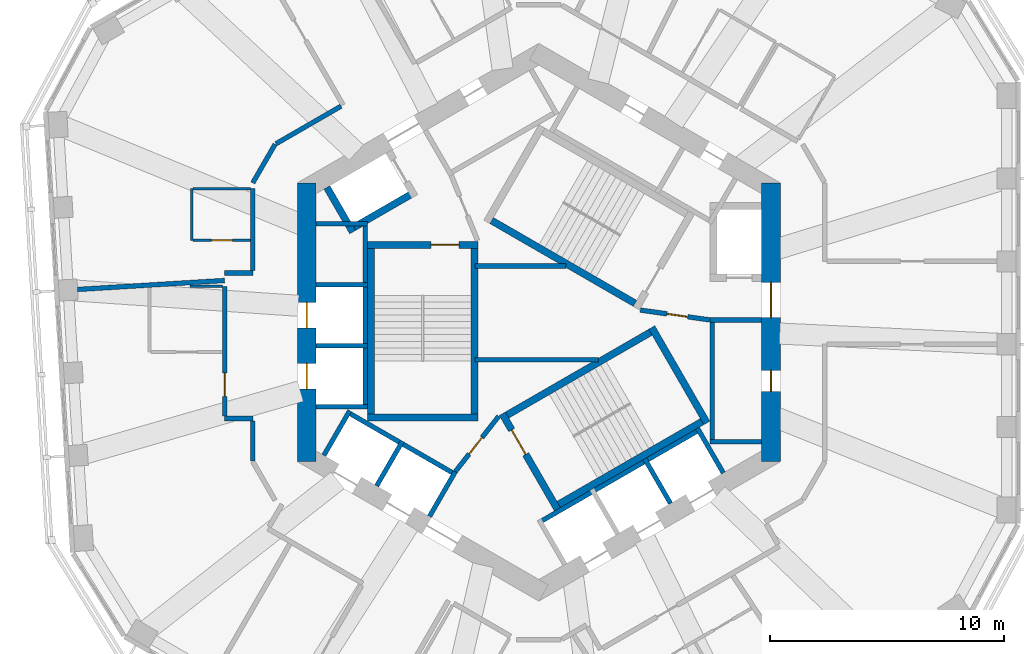
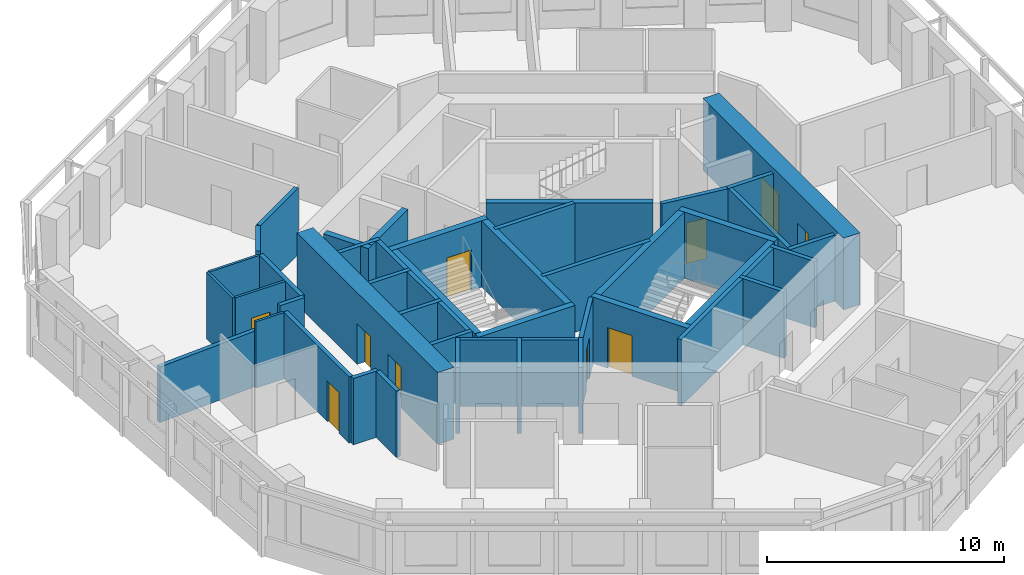
# One storey, part 5 of 11: 44 walls, 10 doors, 10 openings.
"""IFC4 building model written with IfcOpenShell, lengths in metres."""

from ifc_helpers import new_model, si_unit, direction, frame, frame_2d, origin, place, context, subcontext, project, spatial, rectangle, extrude, material, layer, layer_set, type_object, element, fill, save


model = new_model("IFC4")

# Units and contexts
model_context = context("Model", 3, precision=1e-05, world=origin(), true_north=direction((0.0, 1.0)))
body_context = subcontext(model_context, "Body", "Model", "MODEL_VIEW")
ifc_project = project(units=[si_unit("LENGTHUNIT", "METRE"), si_unit("AREAUNIT", "SQUARE_METRE"), si_unit("VOLUMEUNIT", "CUBIC_METRE"), si_unit("PLANEANGLEUNIT", "RADIAN"), si_unit("MASSUNIT", "GRAM", prefix="KILO")], contexts=[model_context])

# Site, building, storey
site_placement = place(None, origin())
site = spatial("IfcSite", under=ifc_project, at=site_placement, CompositionType="ELEMENT")
building_placement = place(site_placement, origin())
building = spatial("IfcBuilding", under=site, at=building_placement, Name="Vanh Sen Convention Tower", CompositionType="ELEMENT")
storey_placement = place(building_placement, frame((0.0, 0.0, 232.800048828125)))
storey = spatial("IfcBuildingStorey", under=building, at=storey_placement, Name="L57", CompositionType="ELEMENT", Elevation=232.800048828125)

# Walls
ifc_material_1 = material(Name="Moisture-resistant gypsum board on steel studs", Category="steel")
ifc_layer_1 = layer(ifc_material_1, 0.1201171875)
ifc_layer_set_1 = layer_set([ifc_layer_1], Name="Moisture-resistant gypsum board on steel studs")
wall_type_1 = type_object("IfcWallType", Name="Bathroom partition 120", PredefinedType="PARTITIONING", material=ifc_layer_set_1)
wall_1_placement = place(storey_placement, frame((-14.869384765625, 1.533203125, 0.0), z_axis=(0.0, 0.0, 1.0), x_axis=(1.0, 0.0, 0.0)))
element("IfcWall", 1, at=wall_1_placement, inside=storey, type_object=wall_type_1, Name="Bathroom partition 120", PredefinedType="PARTITIONING", context=body_context, shape_type="SweptSolid", body=[
    extrude(rectangle(XDim=1.368408203125, YDim=0.1201171875, at=frame_2d((0.68408203125, 0.0))), origin(), (0.0, 0.0, 1.0), 3.419921875),
])
wall_2_placement = place(storey_placement, frame((-14.800048828125, 3.49658203125, 0.0), z_axis=(0.0, 0.0, 1.0), x_axis=(0.0, 1.0, 0.0)))
element("IfcWall", 2, at=wall_2_placement, inside=storey, type_object=wall_type_1, Name="Bathroom partition 120", PredefinedType="PARTITIONING", context=body_context, shape_type="SweptSolid", body=[
    extrude(rectangle(XDim=2.2001953125, YDim=0.1201171875, at=frame_2d((1.10009765625, 0.0))), origin(), (0.0, 0.0, 1.0), 3.419921875),
])
wall_3_placement = place(storey_placement, frame((-14.739990234375, 5.69677734375, 0.0), z_axis=(0.0, 0.0, 1.0), x_axis=(1.0, 0.0, 0.0)))
element("IfcWall", 3, at=wall_3_placement, inside=storey, type_object=wall_type_1, Name="Bathroom partition 120", PredefinedType="PARTITIONING", context=body_context, shape_type="SweptSolid", body=[
    extrude(rectangle(XDim=2.43994140625, YDim=0.1201171875, at=frame_2d((1.219970703125, 0.0))), origin(), (0.0, 0.0, 1.0), 3.419921875),
])

# Wall, opening, door
wall_4_placement = place(storey_placement, frame((-12.300048828125, 3.49658203125, 0.0), z_axis=(0.0, 0.0, 1.0), x_axis=(-1.0, 0.0, 0.0)))
wall_4 = element("IfcWall", 4, at=wall_4_placement, inside=storey, type_object=wall_type_1, Name="Bathroom partition 120", PredefinedType="PARTITIONING", context=body_context, shape_type="SweptSolid", body=[
    extrude(rectangle(XDim=2.43994140625, YDim=0.1201171875, at=frame_2d((1.219970703125, 0.0))), origin(), (0.0, 0.0, 1.0), 3.419921875),
])
opening_1_placement = place(wall_4_placement, frame((0.77001953125, 0.0, 0.0)))
opening_1 = element("IfcOpeningElement", 5, at=opening_1_placement, cuts=wall_4, Name="Opening D56108", PredefinedType="OPENING", context=body_context, shape_type="SweptSolid", body=[
    extrude(rectangle(XDim=0.89990234375, YDim=2.10009765625, at=frame_2d((0.449951171875, 1.050048828125))), frame((0.0, 0.070068359375, 0.0), z_axis=(0.0, -1.0, 0.0), x_axis=(1.0, 0.0, 0.0)), (0.0, 0.0, 1.0), 0.14013671875),
])
ifc_material_2 = material(Name="Laminate door in steel frame", Category="steel")
door_type_1 = type_object("IfcDoorType", Name="Room internal door 900", OperationType="SINGLE_SWING_LEFT", PredefinedType="DOOR", material=ifc_material_2)
door_1_placement = place(opening_1_placement, origin())
door_1 = element("IfcDoor", 6, at=door_1_placement, inside=storey, type_object=door_type_1, Name="Internal room door D56108", OperationType="SINGLE_SWING_LEFT", OverallHeight=2.10009765625, OverallWidth=0.89990234375, PredefinedType="DOOR", context=body_context, shape_type="SweptSolid", body=[
    extrude(rectangle(XDim=0.89990234375, YDim=2.10009765625, at=frame_2d((0.449951171875, 1.050048828125))), frame((0.0, 0.02490234375, 0.0), z_axis=(0.0, -1.0, 0.0), x_axis=(1.0, 0.0, 0.0)), (0.0, 0.0, 1.0), 0.050048828125),
])
fill(opening_1, door_1)

# Wall, openings, doors
ifc_material_3 = material(Name="Concrete C60/75", Category="concrete")
ifc_layer_2 = layer(ifc_material_3, 0.800048828125)
ifc_layer_set_2 = layer_set([ifc_layer_2], Name="Concrete C60/75")
wall_type_2 = type_object("IfcWallType", Name="Core outer wall 800 C60/75", PredefinedType="SHEAR", material=ifc_layer_set_2)
wall_5_placement = place(storey_placement, frame((9.89990234375, -5.94677734375, 0.0), z_axis=(0.0, 0.0, 1.0), x_axis=(0.0, 1.0, 0.0)))
wall_5 = element("IfcWall", 7, at=wall_5_placement, inside=storey, type_object=wall_type_2, Name="Core wall face E L57", PredefinedType="SHEAR", context=body_context, shape_type="SweptSolid", body=[
    extrude(rectangle(XDim=11.8935546875, YDim=0.800048828125, at=frame_2d((5.94677734375, 0.0))), origin(), (0.0, 0.0, 1.0), 3.699951171875),
])
opening_2_placement = place(wall_5_placement, frame((6.146728515625, 0.0, 0.0)))
opening_2 = element("IfcOpeningElement", 8, at=opening_2_placement, cuts=wall_5, Name="Opening D56001", PredefinedType="OPENING", context=body_context, shape_type="SweptSolid", body=[
    extrude(rectangle(XDim=1.5, YDim=2.10009765625, at=frame_2d((0.75, 1.050048828125))), frame((0.0, 0.409912109375, 0.0), z_axis=(0.0, -1.0, 0.0), x_axis=(1.0, 0.0, 0.0)), (0.0, 0.0, 1.0), 0.820068359375),
])
opening_3_placement = place(wall_5_placement, frame((2.99658203125, 0.0, 0.0)))
opening_3 = element("IfcOpeningElement", 9, at=opening_3_placement, cuts=wall_5, Name="Opening D56010", PredefinedType="OPENING", context=body_context, shape_type="SweptSolid", body=[
    extrude(rectangle(XDim=0.89990234375, YDim=2.10009765625, at=frame_2d((0.449951171875, 1.050048828125))), frame((0.0, 0.409912109375, 0.0), z_axis=(0.0, -1.0, 0.0), x_axis=(1.0, 0.0, 0.0)), (0.0, 0.0, 1.0), 0.820068359375),
])
ifc_material_4 = material(Name="Steel S355", Category="steel")
door_type_2 = type_object("IfcDoorType", Name="Plant door 900", OperationType="SINGLE_SWING_LEFT", PredefinedType="DOOR", material=ifc_material_4)
door_2_placement = place(opening_3_placement, origin())
door_2 = element("IfcDoor", 10, at=door_2_placement, inside=storey, type_object=door_type_2, Name="Plant door D56010", OperationType="SINGLE_SWING_LEFT", OverallHeight=2.10009765625, OverallWidth=0.89990234375, PredefinedType="DOOR", context=body_context, shape_type="SweptSolid", body=[
    extrude(rectangle(XDim=0.89990234375, YDim=2.10009765625, at=frame_2d((0.449951171875, 1.050048828125))), frame((0.0, 0.02490234375, 0.0), z_axis=(0.0, -1.0, 0.0), x_axis=(1.0, 0.0, 0.0)), (0.0, 0.0, 1.0), 0.050048828125),
])
fill(opening_3, door_2)
door_type_3 = type_object("IfcDoorType", Name="Stair lobby door 1500", OperationType="DOUBLE_DOOR_SINGLE_SWING", PredefinedType="DOOR", material=ifc_material_4)
door_3_placement = place(opening_2_placement, origin())
door_3 = element("IfcDoor", 11, at=door_3_placement, inside=storey, type_object=door_type_3, Name="Stair lobby door D56001", OperationType="DOUBLE_DOOR_SINGLE_SWING", OverallHeight=2.10009765625, OverallWidth=1.5, PredefinedType="DOOR", context=body_context, shape_type="SweptSolid", body=[
    extrude(rectangle(XDim=1.5, YDim=2.10009765625, at=frame_2d((0.75, 1.050048828125))), frame((0.0, 0.02490234375, 0.0), z_axis=(0.0, -1.0, 0.0), x_axis=(1.0, 0.0, 0.0)), (0.0, 0.0, 1.0), 0.050048828125),
])
fill(opening_2, door_3)

wall_6_placement = place(storey_placement, frame((-9.89990234375, 5.94677734375, 0.0), z_axis=(0.0, 0.0, 1.0), x_axis=(0.0, -1.0, 0.0)))
wall_6 = element("IfcWall", 12, at=wall_6_placement, inside=storey, type_object=wall_type_2, Name="Core wall face W L57", PredefinedType="SHEAR", context=body_context, shape_type="SweptSolid", body=[
    extrude(rectangle(XDim=11.8935546875, YDim=0.800048828125, at=frame_2d((5.94677734375, 0.0))), origin(), (0.0, 0.0, 1.0), 3.699951171875),
])
opening_4_placement = place(wall_6_placement, frame((5.0966796875, 0.0, 0.0)))
opening_4 = element("IfcOpeningElement", 13, at=opening_4_placement, cuts=wall_6, Name="Opening LD-HR1", PredefinedType="OPENING", context=body_context, shape_type="SweptSolid", body=[
    extrude(rectangle(XDim=1.10009765625, YDim=2.10009765625, at=frame_2d((0.550048828125, 1.050048828125))), frame((0.0, 0.409912109375, 0.0), z_axis=(0.0, -1.0, 0.0), x_axis=(1.0, 0.0, 0.0)), (0.0, 0.0, 1.0), 0.820068359375),
])
opening_5_placement = place(wall_6_placement, frame((7.69677734375, 0.0, 0.0)))
opening_5 = element("IfcOpeningElement", 14, at=opening_5_placement, cuts=wall_6, Name="Opening LD-HR2", PredefinedType="OPENING", context=body_context, shape_type="SweptSolid", body=[
    extrude(rectangle(XDim=1.10009765625, YDim=2.10009765625, at=frame_2d((0.550048828125, 1.050048828125))), frame((0.0, 0.409912109375, 0.0), z_axis=(0.0, -1.0, 0.0), x_axis=(1.0, 0.0, 0.0)), (0.0, 0.0, 1.0), 0.820068359375),
])
ifc_material_5 = material(Name="Stainless steel", Category="steel")
door_type_4 = type_object("IfcDoorType", Name="Lift landing door 1100", OperationType="DOUBLE_DOOR_SLIDING", PredefinedType="DOOR", material=ifc_material_5)
door_4_placement = place(opening_4_placement, origin())
door_4 = element("IfcDoor", 15, at=door_4_placement, inside=storey, type_object=door_type_4, Name="Lift HR1 landing door LD-HR1", OperationType="DOUBLE_DOOR_SLIDING", OverallHeight=2.10009765625, OverallWidth=1.10009765625, PredefinedType="DOOR", context=body_context, shape_type="SweptSolid", body=[
    extrude(rectangle(XDim=1.10009765625, YDim=2.10009765625, at=frame_2d((0.550048828125, 1.050048828125))), frame((0.0, 0.02490234375, 0.0), z_axis=(0.0, -1.0, 0.0), x_axis=(1.0, 0.0, 0.0)), (0.0, 0.0, 1.0), 0.050048828125),
])
fill(opening_4, door_4)
door_5_placement = place(opening_5_placement, origin())
door_5 = element("IfcDoor", 16, at=door_5_placement, inside=storey, type_object=door_type_4, Name="Lift HR2 landing door LD-HR2", OperationType="DOUBLE_DOOR_SLIDING", OverallHeight=2.10009765625, OverallWidth=1.10009765625, PredefinedType="DOOR", context=body_context, shape_type="SweptSolid", body=[
    extrude(rectangle(XDim=1.10009765625, YDim=2.10009765625, at=frame_2d((0.550048828125, 1.050048828125))), frame((0.0, 0.02490234375, 0.0), z_axis=(0.0, -1.0, 0.0), x_axis=(1.0, 0.0, 0.0)), (0.0, 0.0, 1.0), 0.050048828125),
])
fill(opening_5, door_5)

# Walls
ifc_material_6 = material(Name="Masonry blockwork", Category="masonry")
ifc_layer_3 = layer(ifc_material_6, 0.199951171875)
ifc_layer_set_3 = layer_set([ifc_layer_3], Name="Masonry blockwork")
wall_type_3 = type_object("IfcWallType", Name="Core partition 200", PredefinedType="PARTITIONING", material=ifc_layer_set_3)
wall_7_placement = place(storey_placement, frame((-2.719970703125, -1.60009765625, 0.0), z_axis=(0.0, 0.0, 1.0), x_axis=(1.0, 0.0, 0.0)))
element("IfcWall", 17, at=wall_7_placement, inside=storey, type_object=wall_type_3, Name="Core partition L57", PredefinedType="PARTITIONING", context=body_context, shape_type="SweptSolid", body=[
    extrude(rectangle(XDim=5.2685546875, YDim=0.199951171875, at=frame_2d((2.63427734375, 0.0))), origin(), (0.0, 0.0, 1.0), 3.419921875),
])
wall_8_placement = place(storey_placement, frame((-2.719970703125, 2.39990234375, 0.0), z_axis=(0.0, 0.0, 1.0), x_axis=(1.0, 0.0, 0.0)))
element("IfcWall", 18, at=wall_8_placement, inside=storey, type_object=wall_type_3, Name="Core partition L57", PredefinedType="PARTITIONING", context=body_context, shape_type="SweptSolid", body=[
    extrude(rectangle(XDim=3.883056640625, YDim=0.199951171875, at=frame_2d((1.94140625, 0.0))), origin(), (0.0, 0.0, 1.0), 3.419921875),
])
ifc_material_7 = material(Name="Gypsum board on steel studs with mineral wool", Category="steel")
ifc_layer_4 = layer(ifc_material_7, 0.199951171875)
ifc_layer_set_4 = layer_set([ifc_layer_4], Name="Gypsum board on steel studs with mineral wool")
wall_type_4 = type_object("IfcWallType", Name="Corridor partition wall 200", PredefinedType="PARTITIONING", material=ifc_layer_set_4)
wall_9_placement = place(storey_placement, frame((-13.40087890625, -4.10107421875, 0.0), z_axis=(0.0, 0.0, 1.0), x_axis=(1.0, 0.0, 0.0)))
element("IfcWall", 19, at=wall_9_placement, inside=storey, type_object=wall_type_4, Name="Corridor partition wall 200", PredefinedType="PARTITIONING", context=body_context, shape_type="SweptSolid", body=[
    extrude(rectangle(XDim=1.200927734375, YDim=0.199951171875, at=frame_2d((0.6005859375, 0.0))), origin(), (0.0, 0.0, 1.0), 3.419921875),
])

# Wall, opening, door
wall_10_placement = place(storey_placement, frame((-13.40087890625, 1.533203125, 0.0), z_axis=(0.0, 0.0, 1.0), x_axis=(0.0, -1.0, 0.0)))
wall_10 = element("IfcWall", 20, at=wall_10_placement, inside=storey, type_object=wall_type_4, Name="Corridor partition wall 200", PredefinedType="PARTITIONING", context=body_context, shape_type="SweptSolid", body=[
    extrude(rectangle(XDim=5.5341796875, YDim=0.199951171875, at=frame_2d((2.76708984375, 0.0))), origin(), (0.0, 0.0, 1.0), 3.419921875),
])
opening_6_placement = place(wall_10_placement, frame((3.692138671875, 0.0, 0.0)))
opening_6 = element("IfcOpeningElement", 21, at=opening_6_placement, cuts=wall_10, Name="Opening D56109", PredefinedType="OPENING", context=body_context, shape_type="SweptSolid", body=[
    extrude(rectangle(XDim=1.0, YDim=2.10009765625, at=frame_2d((0.5, 1.050048828125))), frame((0.0, 0.10986328125, 0.0), z_axis=(0.0, -1.0, 0.0), x_axis=(1.0, 0.0, 0.0)), (0.0, 0.0, 1.0), 0.219970703125),
])
ifc_material_8 = material(Name="Glazed fire door in steel frame", Category="steel")
door_type_5 = type_object("IfcDoorType", Name="Tenant entrance door 1000", OperationType="SINGLE_SWING_LEFT", PredefinedType="DOOR", material=ifc_material_8)
door_6_placement = place(opening_6_placement, origin())
door_6 = element("IfcDoor", 22, at=door_6_placement, inside=storey, type_object=door_type_5, Name="Tenant suite entrance door D56109", OperationType="SINGLE_SWING_LEFT", OverallHeight=2.10009765625, OverallWidth=1.0, PredefinedType="DOOR", context=body_context, shape_type="SweptSolid", body=[
    extrude(rectangle(XDim=1.0, YDim=2.10009765625, at=frame_2d((0.5, 1.050048828125))), frame((0.0, 0.02490234375, 0.0), z_axis=(0.0, -1.0, 0.0), x_axis=(1.0, 0.0, 0.0)), (0.0, 0.0, 1.0), 0.050048828125),
])
fill(opening_6, door_6)

# Walls
wall_11_placement = place(storey_placement, frame((-12.199951171875, -4.200927734375, 0.0), z_axis=(0.0, 0.0, 1.0), x_axis=(0.0, -1.0, 0.0)))
element("IfcWall", 23, at=wall_11_placement, inside=storey, type_object=wall_type_4, Name="Corridor partition wall 200", PredefinedType="PARTITIONING", context=body_context, shape_type="SweptSolid", body=[
    extrude(rectangle(XDim=1.705810546875, YDim=0.199951171875, at=frame_2d((0.85302734375, 0.0))), origin(), (0.0, 0.0, 1.0), 3.419921875),
])
wall_12_placement = place(storey_placement, frame((-12.199951171875, 2.10107421875, 0.0), z_axis=(0.0, 0.0, 1.0), x_axis=(-1.0, 0.0, 0.0)))
element("IfcWall", 24, at=wall_12_placement, inside=storey, type_object=wall_type_4, Name="Corridor partition wall 200", PredefinedType="PARTITIONING", context=body_context, shape_type="SweptSolid", body=[
    extrude(rectangle(XDim=1.200927734375, YDim=0.199951171875, at=frame_2d((0.6005859375, 0.0))), origin(), (0.0, 0.0, 1.0), 3.419921875),
])
wall_13_placement = place(storey_placement, frame((-12.199951171875, 5.69677734375, 0.0), z_axis=(0.0, 0.0, 1.0), x_axis=(0.0, -1.0, 0.0)))
element("IfcWall", 25, at=wall_13_placement, inside=storey, type_object=wall_type_4, Name="Corridor partition wall 200", PredefinedType="PARTITIONING", context=body_context, shape_type="SweptSolid", body=[
    extrude(rectangle(XDim=3.495849609375, YDim=0.199951171875, at=frame_2d((1.748046875, 0.0))), origin(), (0.0, 0.0, 1.0), 3.419921875),
])
wall_14_placement = place(storey_placement, frame((-11.25, 7.592041015625, 0.0), z_axis=(0.0, 0.0, 1.0), x_axis=(-0.500022797313, -0.86601224135, 0.0)))
element("IfcWall", 26, at=wall_14_placement, inside=storey, type_object=wall_type_4, Name="Corridor partition wall 200", PredefinedType="PARTITIONING", context=body_context, shape_type="SweptSolid", body=[
    extrude(rectangle(XDim=1.89990234375, YDim=0.199951171875, at=frame_2d((0.949951171875, 0.0))), origin(), (0.0, 0.0, 1.0), 3.419921875),
])
wall_15_placement = place(storey_placement, frame((-8.4365234375, 9.216552734375, 0.0), z_axis=(0.0, 0.0, 1.0), x_axis=(-0.866005660673, -0.500034194513, 0.0)))
element("IfcWall", 27, at=wall_15_placement, inside=storey, type_object=wall_type_4, Name="Corridor partition wall 200", PredefinedType="PARTITIONING", context=body_context, shape_type="SweptSolid", body=[
    extrude(rectangle(XDim=3.208740234375, YDim=0.199951171875, at=frame_2d((1.6044921875, 0.0))), origin(), (0.0, 0.0, 1.0), 3.419921875),
])
ifc_layer_5 = layer(ifc_material_3, 0.300048828125)
ifc_layer_set_5 = layer_set([ifc_layer_5], Name="Concrete C60/75")
wall_type_5 = type_object("IfcWallType", Name="Fire-fighting lift shaft wall 300", PredefinedType="SHEAR", material=ifc_layer_set_5)
wall_16_placement = place(storey_placement, frame((-5.240478515625, 5.576904296875, 0.0), z_axis=(0.0, 0.0, 1.0), x_axis=(-0.866014461049, -0.500018952895, 0.0)))
element("IfcWall", 28, at=wall_16_placement, inside=storey, type_object=wall_type_5, Name="Fire-fighting lift shaft wall L57", PredefinedType="SHEAR", context=body_context, shape_type="SweptSolid", body=[
    extrude(rectangle(XDim=3.349853515625, YDim=0.300048828125, at=frame_2d((1.6748046875, 0.0))), origin(), (0.0, 0.0, 1.0), 3.419921875),
])
wall_17_placement = place(storey_placement, frame((-7.936767578125, 3.846923828125, 0.0), z_axis=(0.0, 0.0, 1.0), x_axis=(-0.50002983664, 0.866008176907, 0.0)))
element("IfcWall", 29, at=wall_17_placement, inside=storey, type_object=wall_type_5, Name="Fire-fighting lift shaft wall L57", PredefinedType="SHEAR", context=body_context, shape_type="SweptSolid", body=[
    extrude(rectangle(XDim=2.199951171875, YDim=0.300048828125, at=frame_2d((1.10009765625, 0.0))), origin(), (0.0, 0.0, 1.0), 3.419921875),
])
ifc_material_9 = material(Name="Concrete C40/50", Category="concrete")
ifc_layer_6 = layer(ifc_material_9, 0.199951171875)
ifc_layer_set_6 = layer_set([ifc_layer_6], Name="Concrete C40/50")
wall_type_6 = type_object("IfcWallType", Name="Lift shaft wall 200", PredefinedType="PARTITIONING", material=ifc_layer_set_6)
wall_18_placement = place(storey_placement, frame((7.39990234375, -5.199951171875, 0.0), z_axis=(0.0, 0.0, 1.0), x_axis=(0.0, 1.0, 0.0)))
element("IfcWall", 30, at=wall_18_placement, inside=storey, type_object=wall_type_6, Name="Lift shaft wall L57", PredefinedType="PARTITIONING", context=body_context, shape_type="SweptSolid", body=[
    extrude(rectangle(XDim=5.39990234375, YDim=0.199951171875, at=frame_2d((2.699951171875, 0.0))), origin(), (0.0, 0.0, 1.0), 3.419921875),
])
for number, where, z_axis, x_axis, name in (
    (31, (7.300048828125, -5.10009765625, 0.0), (0.0, 0.0, 1.0), (1.0, 0.0, 0.0), "Lift shaft wall L57"),
    (32, (7.300048828125, 0.10009765625, 0.0), (0.0, 0.0, 1.0), (1.0, 0.0, 0.0), "Lift shaft wall L57"),
):
    element("IfcWall", number, at=place(storey_placement, frame(where, z_axis=z_axis, x_axis=x_axis)), inside=storey, type_object=wall_type_6, Name=name, PredefinedType="PARTITIONING", context=body_context, shape_type="SweptSolid", body=[
        extrude(rectangle(XDim=2.199951171875, YDim=0.199951171875, at=frame_2d((1.10009765625, 0.0))), origin(), (0.0, 0.0, 1.0), 3.419921875),
    ])
wall_19_placement = place(storey_placement, frame((-7.39990234375, 4.300048828125, 0.0), z_axis=(0.0, 0.0, 1.0), x_axis=(0.0, -1.0, 0.0)))
element("IfcWall", 33, at=wall_19_placement, inside=storey, type_object=wall_type_6, Name="Lift shaft wall L57", PredefinedType="PARTITIONING", context=body_context, shape_type="SweptSolid", body=[
    extrude(rectangle(XDim=8.0, YDim=0.199951171875, at=frame_2d((4.0, 0.0))), origin(), (0.0, 0.0, 1.0), 3.419921875),
])
for number, where, z_axis, x_axis, name in (
    (34, (-7.300048828125, 4.199951171875, 0.0), (0.0, 0.0, 1.0), (-1.0, 0.0, 0.0), "Lift shaft wall L57"),
    (35, (-7.300048828125, 1.60009765625, 0.0), (0.0, 0.0, 1.0), (-1.0, 0.0, 0.0), "Lift shaft wall L57"),
    (36, (-7.300048828125, -1.0, 0.0), (0.0, 0.0, 1.0), (-1.0, 0.0, 0.0), "Lift shaft wall L57"),
    (37, (-7.300048828125, -3.60009765625, 0.0), (0.0, 0.0, 1.0), (-1.0, 0.0, 0.0), "Lift shaft wall L57"),
):
    element("IfcWall", number, at=place(storey_placement, frame(where, z_axis=z_axis, x_axis=x_axis)), inside=storey, type_object=wall_type_6, Name=name, PredefinedType="PARTITIONING", context=body_context, shape_type="SweptSolid", body=[
        extrude(rectangle(XDim=2.199951171875, YDim=0.199951171875, at=frame_2d((1.10009765625, 0.0))), origin(), (0.0, 0.0, 1.0), 3.419921875),
    ])
wall_20_placement = place(storey_placement, frame((-8.203369140625, -3.80859375, 0.0), z_axis=(0.0, 0.0, 1.0), x_axis=(0.866028230842, -0.499995103361, 0.0)))
element("IfcWall", 38, at=wall_20_placement, inside=storey, type_object=wall_type_6, Name="Lift shaft wall L57", PredefinedType="PARTITIONING", context=body_context, shape_type="SweptSolid", body=[
    extrude(rectangle(XDim=5.39990234375, YDim=0.199951171875, at=frame_2d((2.699951171875, 0.0))), origin(), (0.0, 0.0, 1.0), 3.419921875),
])
for number, where, z_axis, x_axis, name in (
    (39, (-8.066650390625, -3.77197265625, 0.0), (0.0, 0.0, 1.0), (-0.50002983664, -0.866008176907, 0.0), "Lift shaft wall L57"),
    (40, (-5.815185546875, -5.072021484375, 0.0), (0.0, 0.0, 1.0), (-0.499946605688, -0.86605622881, 0.0), "Lift shaft wall L57"),
):
    element("IfcWall", number, at=place(storey_placement, frame(where, z_axis=z_axis, x_axis=x_axis)), inside=storey, type_object=wall_type_6, Name=name, PredefinedType="PARTITIONING", context=body_context, shape_type="SweptSolid", body=[
        extrude(rectangle(XDim=2.199951171875, YDim=0.199951171875, at=frame_2d((1.10009765625, 0.0))), origin(), (0.0, 0.0, 1.0), 3.419921875),
    ])
wall_21_placement = place(storey_placement, frame((-3.5634765625, -6.3720703125, 0.0), z_axis=(0.0, 0.0, 1.0), x_axis=(-0.499994660107, -0.866028486751, 0.0)))
element("IfcWall", 41, at=wall_21_placement, inside=storey, type_object=wall_type_6, Name="Lift shaft wall L57", PredefinedType="PARTITIONING", context=body_context, shape_type="SweptSolid", body=[
    extrude(rectangle(XDim=2.19970703125, YDim=0.199951171875, at=frame_2d((1.099853515625, 0.0))), origin(), (0.0, 0.0, 1.0), 3.419921875),
])
wall_22_placement = place(storey_placement, frame((-0.02392578125, -8.55859375, 0.0), z_axis=(0.0, 0.0, 1.0), x_axis=(0.866026010844, 0.49999894854, 0.0)))
element("IfcWall", 42, at=wall_22_placement, inside=storey, type_object=wall_type_6, Name="Lift shaft wall L57", PredefinedType="PARTITIONING", context=body_context, shape_type="SweptSolid", body=[
    extrude(rectangle(XDim=8.0, YDim=0.199951171875, at=frame_2d((4.0, 0.0))), origin(), (0.0, 0.0, 1.0), 3.419921875),
])
for number, where, z_axis, x_axis, name in (
    (43, (4.51611328125, -5.822021484375, 0.0), (0.0, 0.0, 1.0), (0.499946605688, -0.86605622881, 0.0), "Lift shaft wall L57"),
    (44, (6.767578125, -4.52197265625, 0.0), (0.0, 0.0, 1.0), (0.50002983664, -0.866008176907, 0.0), "Lift shaft wall L57"),
):
    element("IfcWall", number, at=place(storey_placement, frame(where, z_axis=z_axis, x_axis=x_axis)), inside=storey, type_object=wall_type_6, Name=name, PredefinedType="PARTITIONING", context=body_context, shape_type="SweptSolid", body=[
        extrude(rectangle(XDim=2.199951171875, YDim=0.199951171875, at=frame_2d((1.10009765625, 0.0))), origin(), (0.0, 0.0, 1.0), 3.419921875),
    ])

# Wall, opening, door
ifc_layer_7 = layer(ifc_material_9, 0.199951171875)
ifc_layer_set_7 = layer_set([ifc_layer_7], Name="Concrete C40/50")
wall_type_7 = type_object("IfcWallType", Name="Stair lobby wall 200", PredefinedType="PARTITIONING", material=ifc_layer_set_7)
wall_23_placement = place(storey_placement, frame((4.327392578125, 0.52099609375, 0.0), z_axis=(0.0, 0.0, 1.0), x_axis=(0.990124376366, -0.14019172346, 0.0)))
wall_23 = element("IfcWall", 45, at=wall_23_placement, inside=storey, type_object=wall_type_7, Name="Stair lobby wall L57", PredefinedType="PARTITIONING", context=body_context, shape_type="SweptSolid", body=[
    extrude(rectangle(XDim=3.002197265625, YDim=0.199951171875, at=frame_2d((1.5009765625, 0.0))), origin(), (0.0, 0.0, 1.0), 3.419921875),
])
opening_7_placement = place(wall_23_placement, frame((1.14990234375, 0.0, 0.0)))
opening_7 = element("IfcOpeningElement", 46, at=opening_7_placement, cuts=wall_23, Name="Opening D56007", PredefinedType="OPENING", context=body_context, shape_type="SweptSolid", body=[
    extrude(rectangle(XDim=0.89990234375, YDim=2.10009765625, at=frame_2d((0.449951171875, 1.050048828125))), frame((0.0, 0.10986328125, 0.0), z_axis=(0.0, -1.0, 0.0), x_axis=(1.0, 0.0, 0.0)), (0.0, 0.0, 1.0), 0.219970703125),
])
door_7_placement = place(opening_7_placement, origin())
door_7 = element("IfcDoor", 47, at=door_7_placement, inside=storey, type_object=door_type_2, Name="Plant door D56007", OperationType="SINGLE_SWING_LEFT", OverallHeight=2.10009765625, OverallWidth=0.89990234375, PredefinedType="DOOR", context=body_context, shape_type="SweptSolid", body=[
    extrude(rectangle(XDim=0.89990234375, YDim=2.10009765625, at=frame_2d((0.449951171875, 1.050048828125))), frame((0.0, 0.02490234375, 0.0), z_axis=(0.0, -1.0, 0.0), x_axis=(1.0, 0.0, 0.0)), (0.0, 0.0, 1.0), 0.050048828125),
])
fill(opening_7, door_7)

wall_24_placement = place(storey_placement, frame((-1.71240234375, -4.00830078125, 0.0), z_axis=(0.0, 0.0, 1.0), x_axis=(-0.616549420702, -0.787316208287, 0.0)))
wall_24 = element("IfcWall", 48, at=wall_24_placement, inside=storey, type_object=wall_type_7, Name="Stair lobby wall L57", PredefinedType="PARTITIONING", context=body_context, shape_type="SweptSolid", body=[
    extrude(rectangle(XDim=3.002197265625, YDim=0.199951171875, at=frame_2d((1.5009765625, 0.0))), origin(), (0.0, 0.0, 1.0), 3.419921875),
])
opening_8_placement = place(wall_24_placement, frame((1.14990234375, 0.0, 0.0)))
opening_8 = element("IfcOpeningElement", 49, at=opening_8_placement, cuts=wall_24, Name="Opening D56009", PredefinedType="OPENING", context=body_context, shape_type="SweptSolid", body=[
    extrude(rectangle(XDim=0.89990234375, YDim=2.10009765625, at=frame_2d((0.449951171875, 1.050048828125))), frame((0.0, 0.10986328125, 0.0), z_axis=(0.0, -1.0, 0.0), x_axis=(1.0, 0.0, 0.0)), (0.0, 0.0, 1.0), 0.219970703125),
])
door_8_placement = place(opening_8_placement, origin())
door_8 = element("IfcDoor", 50, at=door_8_placement, inside=storey, type_object=door_type_2, Name="Plant door D56009", OperationType="SINGLE_SWING_LEFT", OverallHeight=2.10009765625, OverallWidth=0.89990234375, PredefinedType="DOOR", context=body_context, shape_type="SweptSolid", body=[
    extrude(rectangle(XDim=0.89990234375, YDim=2.10009765625, at=frame_2d((0.449951171875, 1.050048828125))), frame((0.0, 0.02490234375, 0.0), z_axis=(0.0, -1.0, 0.0), x_axis=(1.0, 0.0, 0.0)), (0.0, 0.0, 1.0), 0.050048828125),
])
fill(opening_8, door_8)

# Wall
ifc_layer_8 = layer(ifc_material_3, 0.300048828125)
ifc_layer_set_8 = layer_set([ifc_layer_8], Name="Concrete C60/75")
wall_type_8 = type_object("IfcWallType", Name="Stair wall 300", PredefinedType="SHEAR", material=ifc_layer_set_8)
wall_25_placement = place(storey_placement, frame((4.10302734375, 0.806640625, 0.0), z_axis=(0.0, 0.0, 1.0), x_axis=(-0.866027801685, 0.499995846692, 0.0)))
element("IfcWall", 51, at=wall_25_placement, inside=storey, type_object=wall_type_8, Name="Stair wall L57", PredefinedType="SHEAR", context=body_context, shape_type="SweptSolid", body=[
    extrude(rectangle(XDim=7.06005859375, YDim=0.300048828125, at=frame_2d((3.530029296875, 0.0))), origin(), (0.0, 0.0, 1.0), 3.419921875),
])

# Wall, opening, door
wall_26_placement = place(storey_placement, frame((-2.60009765625, 3.300048828125, 0.0), z_axis=(0.0, 0.0, 1.0), x_axis=(-1.0, 0.0, 0.0)))
wall_26 = element("IfcWall", 52, at=wall_26_placement, inside=storey, type_object=wall_type_8, Name="Stair wall L57", PredefinedType="SHEAR", context=body_context, shape_type="SweptSolid", body=[
    extrude(rectangle(XDim=4.699951171875, YDim=0.300048828125, at=frame_2d((2.35009765625, 0.0))), origin(), (0.0, 0.0, 1.0), 3.419921875),
])
opening_9_placement = place(wall_26_placement, frame((0.800048828125, 0.0, 0.0)))
opening_9 = element("IfcOpeningElement", 53, at=opening_9_placement, cuts=wall_26, Name="Opening D56005", PredefinedType="OPENING", context=body_context, shape_type="SweptSolid", body=[
    extrude(rectangle(XDim=1.199951171875, YDim=2.10009765625, at=frame_2d((0.60009765625, 1.050048828125))), frame((0.0, 0.159912109375, 0.0), z_axis=(0.0, -1.0, 0.0), x_axis=(1.0, 0.0, 0.0)), (0.0, 0.0, 1.0), 0.320068359375),
])
door_type_6 = type_object("IfcDoorType", Name="Stair door 1200", OperationType="SINGLE_SWING_RIGHT", PredefinedType="DOOR", material=ifc_material_4)
door_9_placement = place(opening_9_placement, origin())
door_9 = element("IfcDoor", 54, at=door_9_placement, inside=storey, type_object=door_type_6, Name="Stair ST2 door D56005", OperationType="SINGLE_SWING_RIGHT", OverallHeight=2.10009765625, OverallWidth=1.199951171875, PredefinedType="DOOR", context=body_context, shape_type="SweptSolid", body=[
    extrude(rectangle(XDim=1.199951171875, YDim=2.10009765625, at=frame_2d((0.60009765625, 1.050048828125))), frame((0.0, 0.02490234375, 0.0), z_axis=(0.0, -1.0, 0.0), x_axis=(1.0, 0.0, 0.0)), (0.0, 0.0, 1.0), 0.050048828125),
])
fill(opening_9, door_9)

# Walls
wall_27_placement = place(storey_placement, frame((-2.60009765625, -4.06005859375, 0.0), z_axis=(0.0, 0.0, 1.0), x_axis=(-1.0, 0.0, 0.0)))
element("IfcWall", 55, at=wall_27_placement, inside=storey, type_object=wall_type_8, Name="Stair wall L57", PredefinedType="SHEAR", context=body_context, shape_type="SweptSolid", body=[
    extrude(rectangle(XDim=4.699951171875, YDim=0.300048828125, at=frame_2d((2.35009765625, 0.0))), origin(), (0.0, 0.0, 1.0), 3.419921875),
])
for number, where, z_axis, x_axis, name in (
    (56, (-2.75, 3.14990234375, 0.0), (0.0, 0.0, 1.0), (0.0, -1.0, 0.0), "Stair wall L57"),
    (57, (-7.14990234375, 3.14990234375, 0.0), (0.0, 0.0, 1.0), (0.0, -1.0, 0.0), "Stair wall L57"),
):
    element("IfcWall", number, at=place(storey_placement, frame(where, z_axis=z_axis, x_axis=x_axis)), inside=storey, type_object=wall_type_8, Name=name, PredefinedType="SHEAR", context=body_context, shape_type="SweptSolid", body=[
        extrude(rectangle(XDim=7.059814453125, YDim=0.300048828125, at=frame_2d((3.52978515625, 0.0))), origin(), (0.0, 0.0, 1.0), 3.419921875),
    ])

# Wall, opening, door
wall_28_placement = place(storey_placement, frame((-1.557861328125, -3.901611328125, 0.0), z_axis=(0.0, 0.0, 1.0), x_axis=(0.499977259774, -0.866038532462, 0.0)))
wall_28 = element("IfcWall", 58, at=wall_28_placement, inside=storey, type_object=wall_type_8, Name="Stair wall L57", PredefinedType="SHEAR", context=body_context, shape_type="SweptSolid", body=[
    extrude(rectangle(XDim=4.699951171875, YDim=0.300048828125, at=frame_2d((2.35009765625, 0.0))), origin(), (0.0, 0.0, 1.0), 3.419921875),
])
opening_10_placement = place(wall_28_placement, frame((0.800048828125, 0.0, 0.0)))
opening_10 = element("IfcOpeningElement", 59, at=opening_10_placement, cuts=wall_28, Name="Opening D56006", PredefinedType="OPENING", context=body_context, shape_type="SweptSolid", body=[
    extrude(rectangle(XDim=1.199951171875, YDim=2.10009765625, at=frame_2d((0.60009765625, 1.050048828125))), frame((0.0, 0.159912109375, 0.0), z_axis=(0.0, -1.0, 0.0), x_axis=(1.0, 0.0, 0.0)), (0.0, 0.0, 1.0), 0.320068359375),
])
door_10_placement = place(opening_10_placement, origin())
door_10 = element("IfcDoor", 60, at=door_10_placement, inside=storey, type_object=door_type_6, Name="Stair ST3 door D56006", OperationType="SINGLE_SWING_RIGHT", OverallHeight=2.10009765625, OverallWidth=1.199951171875, PredefinedType="DOOR", context=body_context, shape_type="SweptSolid", body=[
    extrude(rectangle(XDim=1.199951171875, YDim=2.10009765625, at=frame_2d((0.60009765625, 1.050048828125))), frame((0.0, 0.02490234375, 0.0), z_axis=(0.0, -1.0, 0.0), x_axis=(1.0, 0.0, 0.0)), (0.0, 0.0, 1.0), 0.050048828125),
])
fill(opening_10, door_10)

# Walls
wall_29_placement = place(storey_placement, frame((4.816162109375, -0.2216796875, 0.0), z_axis=(0.0, 0.0, 1.0), x_axis=(0.499977259774, -0.866038532462, 0.0)))
element("IfcWall", 61, at=wall_29_placement, inside=storey, type_object=wall_type_8, Name="Stair wall L57", PredefinedType="SHEAR", context=body_context, shape_type="SweptSolid", body=[
    extrude(rectangle(XDim=4.699951171875, YDim=0.300048828125, at=frame_2d((2.35009765625, 0.0))), origin(), (0.0, 0.0, 1.0), 3.419921875),
])
for number, where, z_axis, x_axis, name in (
    (62, (-1.35302734375, -3.95654296875, 0.0), (0.0, 0.0, 1.0), (0.866027801685, 0.499995846692, 0.0), "Stair wall L57"),
    (63, (0.846923828125, -7.76708984375, 0.0), (0.0, 0.0, 1.0), (0.866027801685, 0.499995846692, 0.0), "Stair wall L57"),
):
    element("IfcWall", number, at=place(storey_placement, frame(where, z_axis=z_axis, x_axis=x_axis)), inside=storey, type_object=wall_type_8, Name=name, PredefinedType="SHEAR", context=body_context, shape_type="SweptSolid", body=[
        extrude(rectangle(XDim=7.06005859375, YDim=0.300048828125, at=frame_2d((3.530029296875, 0.0))), origin(), (0.0, 0.0, 1.0), 3.419921875),
    ])
ifc_layer_9 = layer(ifc_material_7, 0.199951171875)
ifc_layer_set_9 = layer_set([ifc_layer_9], Name="Gypsum board on steel studs with mineral wool")
wall_type_9 = type_object("IfcWallType", Name="Tenant suite wall 200", PredefinedType="PARTITIONING", material=ifc_layer_set_9)
wall_30_placement = place(storey_placement, frame((-19.672119140625, 1.399658203125, 0.0), z_axis=(0.0, 0.0, 1.0), x_axis=(0.99813499784, 0.061045278997, 0.0)))
element("IfcWall", 64, at=wall_30_placement, inside=storey, type_object=wall_type_9, Name="Tenant suite wall 200", PredefinedType="PARTITIONING", context=body_context, shape_type="SweptSolid", body=[
    extrude(rectangle(XDim=6.282958984375, YDim=0.199951171875, at=frame_2d((3.1416015625, 0.0))), origin(), (0.0, 0.0, 1.0), 2.869873046875),
])

save(model, "model.ifc")
